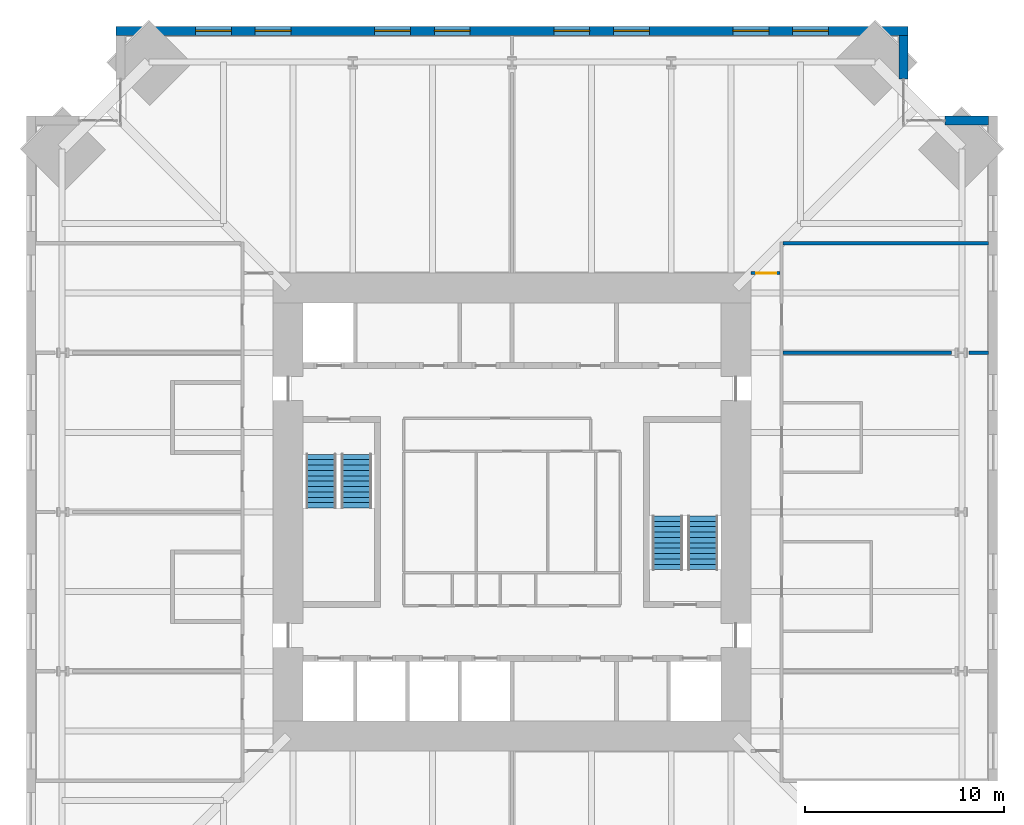
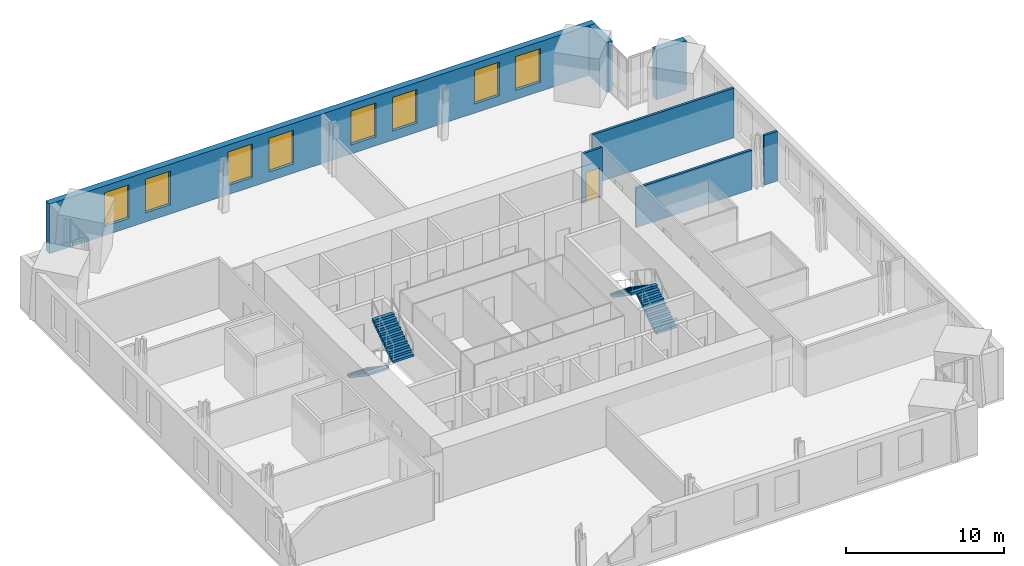
# One storey, part 14 of 15: 8 windows, 7 walls, 4 stair flights, 1 door, 9 openings, 2 elements without a shape of their own.
"""IFC4 building model written with IfcOpenShell, lengths in metres."""

from ifc_helpers import new_model, si_unit, direction, frame, frame_2d, origin, place, context, subcontext, project, spatial, polyline, rectangle, outline, extrude, material, layer, layer_set, type_object, element, fill, aggregate, save


model = new_model("IFC4")

# Units and contexts
model_context = context("Model", 3, precision=1e-05, world=origin(), true_north=direction((0.0, 1.0)))
body_context = subcontext(model_context, "Body", "Model", "MODEL_VIEW")
ifc_project = project(units=[si_unit("LENGTHUNIT", "METRE"), si_unit("AREAUNIT", "SQUARE_METRE"), si_unit("VOLUMEUNIT", "CUBIC_METRE"), si_unit("PLANEANGLEUNIT", "RADIAN"), si_unit("MASSUNIT", "GRAM", prefix="KILO")], contexts=[model_context])

# Site, building, storey
site_placement = place(None, origin())
site = spatial("IfcSite", under=ifc_project, at=site_placement, CompositionType="ELEMENT")
building_placement = place(site_placement, origin())
building = spatial("IfcBuilding", under=site, at=building_placement, Name="Peilmerk Tower", CompositionType="ELEMENT")
storey_placement = place(building_placement, frame((0.0, 0.0, 205.800048828125)))
storey = spatial("IfcBuildingStorey", under=building, at=storey_placement, Name="L44", CompositionType="ELEMENT", Elevation=205.800048828125)

# Wall, openings, windows
ifc_material_1 = material(Name="Precast concrete C45/55, board-marked finish", Category="concrete")
ifc_layer_1 = layer(ifc_material_1, 0.449951171875)
ifc_layer_set_1 = layer_set([ifc_layer_1], Name="Precast concrete C45/55, board-marked finish")
wall_type_1 = type_object("IfcWallType", Name="EW1 450 precast concrete facade wall, board-marked", PredefinedType="SOLIDWALL", material=ifc_layer_set_1)
wall_1_placement = place(storey_placement, frame((19.89990234375, 24.175048828125, 0.0), z_axis=(0.0, 0.0, 1.0), x_axis=(-1.0, 0.0, 0.0)))
wall_1 = element("IfcWall", 1, at=wall_1_placement, inside=storey, type_object=wall_type_1, Name="Facade wall N L44", PredefinedType="SOLIDWALL", context=body_context, shape_type="SweptSolid", body=[
    extrude(rectangle(XDim=39.7998046875, YDim=0.449951171875, at=frame_2d((19.89990234375, 0.0))), origin(), (0.0, 0.0, 1.0), 3.829833984375),
])
opening_1_placement = place(wall_1_placement, frame((4.0, 0.0, 0.699951171875)))
opening_1 = element("IfcOpeningElement", 2, at=opening_1_placement, cuts=wall_1, Name="Opening W1", PredefinedType="OPENING", context=body_context, shape_type="SweptSolid", body=[
    extrude(rectangle(XDim=1.800048828125, YDim=2.60009765625, at=frame_2d((0.89990234375, 1.300048828125))), frame((0.0, 0.23486328125, 0.0), z_axis=(0.0, -1.0, 0.0), x_axis=(1.0, 0.0, 0.0)), (0.0, 0.0, 1.0), 0.469970703125),
])
opening_2_placement = place(wall_1_placement, frame((7.0, 0.0, 0.699951171875)))
opening_2 = element("IfcOpeningElement", 3, at=opening_2_placement, cuts=wall_1, Name="Opening W1", PredefinedType="OPENING", context=body_context, shape_type="SweptSolid", body=[
    extrude(rectangle(XDim=1.800048828125, YDim=2.60009765625, at=frame_2d((0.89990234375, 1.300048828125))), frame((0.0, 0.23486328125, 0.0), z_axis=(0.0, -1.0, 0.0), x_axis=(1.0, 0.0, 0.0)), (0.0, 0.0, 1.0), 0.469970703125),
])
opening_3_placement = place(wall_1_placement, frame((13.0, 0.0, 0.699951171875)))
opening_3 = element("IfcOpeningElement", 4, at=opening_3_placement, cuts=wall_1, Name="Opening W1", PredefinedType="OPENING", context=body_context, shape_type="SweptSolid", body=[
    extrude(rectangle(XDim=1.800048828125, YDim=2.60009765625, at=frame_2d((0.89990234375, 1.300048828125))), frame((0.0, 0.23486328125, 0.0), z_axis=(0.0, -1.0, 0.0), x_axis=(1.0, 0.0, 0.0)), (0.0, 0.0, 1.0), 0.469970703125),
])
opening_4_placement = place(wall_1_placement, frame((16.0, 0.0, 0.699951171875)))
opening_4 = element("IfcOpeningElement", 5, at=opening_4_placement, cuts=wall_1, Name="Opening W1", PredefinedType="OPENING", context=body_context, shape_type="SweptSolid", body=[
    extrude(rectangle(XDim=1.800048828125, YDim=2.60009765625, at=frame_2d((0.89990234375, 1.300048828125))), frame((0.0, 0.23486328125, 0.0), z_axis=(0.0, -1.0, 0.0), x_axis=(1.0, 0.0, 0.0)), (0.0, 0.0, 1.0), 0.469970703125),
])
opening_5_placement = place(wall_1_placement, frame((22.0, 0.0, 0.699951171875)))
opening_5 = element("IfcOpeningElement", 6, at=opening_5_placement, cuts=wall_1, Name="Opening W1", PredefinedType="OPENING", context=body_context, shape_type="SweptSolid", body=[
    extrude(rectangle(XDim=1.800048828125, YDim=2.60009765625, at=frame_2d((0.89990234375, 1.300048828125))), frame((0.0, 0.23486328125, 0.0), z_axis=(0.0, -1.0, 0.0), x_axis=(1.0, 0.0, 0.0)), (0.0, 0.0, 1.0), 0.469970703125),
])
opening_6_placement = place(wall_1_placement, frame((25.0, 0.0, 0.699951171875)))
opening_6 = element("IfcOpeningElement", 7, at=opening_6_placement, cuts=wall_1, Name="Opening W1", PredefinedType="OPENING", context=body_context, shape_type="SweptSolid", body=[
    extrude(rectangle(XDim=1.800048828125, YDim=2.60009765625, at=frame_2d((0.89990234375, 1.300048828125))), frame((0.0, 0.23486328125, 0.0), z_axis=(0.0, -1.0, 0.0), x_axis=(1.0, 0.0, 0.0)), (0.0, 0.0, 1.0), 0.469970703125),
])
opening_7_placement = place(wall_1_placement, frame((31.0, 0.0, 0.699951171875)))
opening_7 = element("IfcOpeningElement", 8, at=opening_7_placement, cuts=wall_1, Name="Opening W1", PredefinedType="OPENING", context=body_context, shape_type="SweptSolid", body=[
    extrude(rectangle(XDim=1.800048828125, YDim=2.60009765625, at=frame_2d((0.89990234375, 1.300048828125))), frame((0.0, 0.23486328125, 0.0), z_axis=(0.0, -1.0, 0.0), x_axis=(1.0, 0.0, 0.0)), (0.0, 0.0, 1.0), 0.469970703125),
])
opening_8_placement = place(wall_1_placement, frame((34.0, 0.0, 0.699951171875)))
opening_8 = element("IfcOpeningElement", 9, at=opening_8_placement, cuts=wall_1, Name="Opening W1", PredefinedType="OPENING", context=body_context, shape_type="SweptSolid", body=[
    extrude(rectangle(XDim=1.800048828125, YDim=2.60009765625, at=frame_2d((0.89990234375, 1.300048828125))), frame((0.0, 0.23486328125, 0.0), z_axis=(0.0, -1.0, 0.0), x_axis=(1.0, 0.0, 0.0)), (0.0, 0.0, 1.0), 0.469970703125),
])
ifc_material_2 = material(Name="Aluminium frame, clear double glazing", Category="aluminium")
window_type = type_object("IfcWindowType", Name="W1 1800x2600 office window", PartitioningType="SINGLE_PANEL", PredefinedType="WINDOW", material=ifc_material_2)
window_1_placement = place(opening_1_placement, origin())
window_1 = element("IfcWindow", 10, at=window_1_placement, inside=storey, type_object=window_type, Name="Window W1 L44", OverallHeight=2.60009765625, OverallWidth=1.800048828125, PartitioningType="SINGLE_PANEL", PredefinedType="WINDOW", context=body_context, shape_type="SweptSolid", body=[
    extrude(rectangle(XDim=1.800048828125, YDim=2.60009765625, at=frame_2d((0.89990234375, 1.300048828125))), frame((0.0, 0.030029296875, 0.0), z_axis=(0.0, -1.0, 0.0), x_axis=(1.0, 0.0, 0.0)), (0.0, 0.0, 1.0), 0.06005859375),
])
fill(opening_1, window_1)
window_2_placement = place(opening_2_placement, origin())
window_2 = element("IfcWindow", 11, at=window_2_placement, inside=storey, type_object=window_type, Name="Window W1 L44", OverallHeight=2.60009765625, OverallWidth=1.800048828125, PartitioningType="SINGLE_PANEL", PredefinedType="WINDOW", context=body_context, shape_type="SweptSolid", body=[
    extrude(rectangle(XDim=1.800048828125, YDim=2.60009765625, at=frame_2d((0.89990234375, 1.300048828125))), frame((0.0, 0.030029296875, 0.0), z_axis=(0.0, -1.0, 0.0), x_axis=(1.0, 0.0, 0.0)), (0.0, 0.0, 1.0), 0.06005859375),
])
fill(opening_2, window_2)
window_3_placement = place(opening_3_placement, origin())
window_3 = element("IfcWindow", 12, at=window_3_placement, inside=storey, type_object=window_type, Name="Window W1 L44", OverallHeight=2.60009765625, OverallWidth=1.800048828125, PartitioningType="SINGLE_PANEL", PredefinedType="WINDOW", context=body_context, shape_type="SweptSolid", body=[
    extrude(rectangle(XDim=1.800048828125, YDim=2.60009765625, at=frame_2d((0.89990234375, 1.300048828125))), frame((0.0, 0.030029296875, 0.0), z_axis=(0.0, -1.0, 0.0), x_axis=(1.0, 0.0, 0.0)), (0.0, 0.0, 1.0), 0.06005859375),
])
fill(opening_3, window_3)
window_4_placement = place(opening_4_placement, origin())
window_4 = element("IfcWindow", 13, at=window_4_placement, inside=storey, type_object=window_type, Name="Window W1 L44", OverallHeight=2.60009765625, OverallWidth=1.800048828125, PartitioningType="SINGLE_PANEL", PredefinedType="WINDOW", context=body_context, shape_type="SweptSolid", body=[
    extrude(rectangle(XDim=1.800048828125, YDim=2.60009765625, at=frame_2d((0.89990234375, 1.300048828125))), frame((0.0, 0.030029296875, 0.0), z_axis=(0.0, -1.0, 0.0), x_axis=(1.0, 0.0, 0.0)), (0.0, 0.0, 1.0), 0.06005859375),
])
fill(opening_4, window_4)
window_5_placement = place(opening_5_placement, origin())
window_5 = element("IfcWindow", 14, at=window_5_placement, inside=storey, type_object=window_type, Name="Window W1 L44", OverallHeight=2.60009765625, OverallWidth=1.800048828125, PartitioningType="SINGLE_PANEL", PredefinedType="WINDOW", context=body_context, shape_type="SweptSolid", body=[
    extrude(rectangle(XDim=1.800048828125, YDim=2.60009765625, at=frame_2d((0.89990234375, 1.300048828125))), frame((0.0, 0.030029296875, 0.0), z_axis=(0.0, -1.0, 0.0), x_axis=(1.0, 0.0, 0.0)), (0.0, 0.0, 1.0), 0.06005859375),
])
fill(opening_5, window_5)
window_6_placement = place(opening_6_placement, origin())
window_6 = element("IfcWindow", 15, at=window_6_placement, inside=storey, type_object=window_type, Name="Window W1 L44", OverallHeight=2.60009765625, OverallWidth=1.800048828125, PartitioningType="SINGLE_PANEL", PredefinedType="WINDOW", context=body_context, shape_type="SweptSolid", body=[
    extrude(rectangle(XDim=1.800048828125, YDim=2.60009765625, at=frame_2d((0.89990234375, 1.300048828125))), frame((0.0, 0.030029296875, 0.0), z_axis=(0.0, -1.0, 0.0), x_axis=(1.0, 0.0, 0.0)), (0.0, 0.0, 1.0), 0.06005859375),
])
fill(opening_6, window_6)
window_7_placement = place(opening_7_placement, origin())
window_7 = element("IfcWindow", 16, at=window_7_placement, inside=storey, type_object=window_type, Name="Window W1 L44", OverallHeight=2.60009765625, OverallWidth=1.800048828125, PartitioningType="SINGLE_PANEL", PredefinedType="WINDOW", context=body_context, shape_type="SweptSolid", body=[
    extrude(rectangle(XDim=1.800048828125, YDim=2.60009765625, at=frame_2d((0.89990234375, 1.300048828125))), frame((0.0, 0.030029296875, 0.0), z_axis=(0.0, -1.0, 0.0), x_axis=(1.0, 0.0, 0.0)), (0.0, 0.0, 1.0), 0.06005859375),
])
fill(opening_7, window_7)
window_8_placement = place(opening_8_placement, origin())
window_8 = element("IfcWindow", 17, at=window_8_placement, inside=storey, type_object=window_type, Name="Window W1 L44", OverallHeight=2.60009765625, OverallWidth=1.800048828125, PartitioningType="SINGLE_PANEL", PredefinedType="WINDOW", context=body_context, shape_type="SweptSolid", body=[
    extrude(rectangle(XDim=1.800048828125, YDim=2.60009765625, at=frame_2d((0.89990234375, 1.300048828125))), frame((0.0, 0.030029296875, 0.0), z_axis=(0.0, -1.0, 0.0), x_axis=(1.0, 0.0, 0.0)), (0.0, 0.0, 1.0), 0.06005859375),
])
fill(opening_8, window_8)

# Walls
for number, where, z_axis, x_axis, name in (
    (18, (19.675048828125, 21.753662109375, 0.0), (0.0, 0.0, 1.0), (0.0, 1.0, 0.0), "Facade wall NEA L44"),
    (19, (21.753662109375, 19.675048828125, 0.0), (0.0, 0.0, 1.0), (1.0, 0.0, 0.0), "Facade wall NEB L44"),
):
    element("IfcWall", number, at=place(storey_placement, frame(where, z_axis=z_axis, x_axis=x_axis)), inside=storey, type_object=wall_type_1, Name=name, PredefinedType="SOLIDWALL", context=body_context, shape_type="SweptSolid", body=[
        extrude(rectangle(XDim=2.1962890625, YDim=0.449951171875, at=frame_2d((1.09814453125, 0.0))), origin(), (0.0, 0.0, 1.0), 3.829833984375),
    ])

# Wall, opening, door
ifc_material_3 = material(Name="Calcium silicate block", Category="masonry")
ifc_layer_2 = layer(ifc_material_3, 0.14990234375)
ifc_layer_set_2 = layer_set([ifc_layer_2], Name="Calcium silicate block")
wall_type_2 = type_object("IfcWallType", Name="IW1 150 corridor partition, EI 60", PredefinedType="PARTITIONING", material=ifc_layer_set_2)
wall_2_placement = place(storey_placement, frame((12.0, 12.0, 0.0), z_axis=(0.0, 0.0, 1.0), x_axis=(1.0, 0.0, 0.0)))
wall_2 = element("IfcWall", 20, at=wall_2_placement, inside=storey, type_object=wall_type_2, Name="Corridor wall NE L44", PredefinedType="PARTITIONING", context=body_context, shape_type="SweptSolid", body=[
    extrude(rectangle(XDim=1.47509765625, YDim=0.14990234375, at=frame_2d((0.737548828125, 0.0))), origin(), (0.0, 0.0, 1.0), 3.829833984375),
])
opening_9_placement = place(wall_2_placement, frame((0.27490234375, 0.0, 0.0)))
opening_9 = element("IfcOpeningElement", 21, at=opening_9_placement, cuts=wall_2, Name="Opening D1", PredefinedType="OPENING", context=body_context, shape_type="SweptSolid", body=[
    extrude(rectangle(XDim=1.0, YDim=2.300048828125, at=frame_2d((0.5, 1.14990234375))), frame((0.0, 0.0849609375, 0.0), z_axis=(0.0, -1.0, 0.0), x_axis=(1.0, 0.0, 0.0)), (0.0, 0.0, 1.0), 0.169921875),
])
ifc_material_4 = material(Name="Timber door in steel frame", Category="steel")
door_type = type_object("IfcDoorType", Name="D1 1000x2300 room door, EI2 30", OperationType="SINGLE_SWING_LEFT", PredefinedType="DOOR", material=ifc_material_4)
door_placement = place(opening_9_placement, origin())
door = element("IfcDoor", 22, at=door_placement, inside=storey, type_object=door_type, Name="Door Hardware lab L44", OperationType="SINGLE_SWING_LEFT", OverallHeight=2.300048828125, OverallWidth=1.0, PredefinedType="DOOR", context=body_context, shape_type="SweptSolid", body=[
    extrude(rectangle(XDim=1.0, YDim=2.300048828125, at=frame_2d((0.5, 1.14990234375))), frame((0.0, 0.02490234375, 0.0), z_axis=(0.0, -1.0, 0.0), x_axis=(1.0, 0.0, 0.0)), (0.0, 0.0, 1.0), 0.050048828125),
])
fill(opening_9, door)

# Walls
ifc_layer_3 = layer(ifc_material_3, 0.175048828125)
ifc_layer_set_3 = layer_set([ifc_layer_3], Name="Calcium silicate block")
wall_type_3 = type_object("IfcWallType", Name="IW8 175 tenant separating wall, EI 60", PredefinedType="PARTITIONING", material=ifc_layer_set_3)
wall_3_placement = place(storey_placement, frame((13.625, 13.5, 0.0), z_axis=(0.0, 0.0, 1.0), x_axis=(1.0, 0.0, 0.0)))
element("IfcWall", 23, at=wall_3_placement, inside=storey, type_object=wall_type_3, Name="Tenant separating wall NE L44", PredefinedType="PARTITIONING", context=body_context, shape_type="SweptSolid", body=[
    extrude(rectangle(XDim=10.324951171875, YDim=0.175048828125, at=frame_2d((5.16259765625, 0.0))), origin(), (0.0, 0.0, 1.0), 3.829833984375),
])
wall_4_placement = place(storey_placement, frame((13.625, 8.0, 0.0), z_axis=(0.0, 0.0, 1.0), x_axis=(1.0, 0.0, 0.0)))
element("IfcWall", 24, at=wall_4_placement, inside=storey, type_object=wall_type_3, Name="Tenant separating wall E2 L44", PredefinedType="PARTITIONING", context=body_context, shape_type="SweptSolid", body=[
    extrude(rectangle(XDim=8.4482421875, YDim=0.175048828125, at=frame_2d((4.22412109375, 0.0))), origin(), (0.0, 0.0, 1.0), 3.0400390625),
])
wall_5_placement = place(storey_placement, frame((22.96240234375, 8.0, 0.0), z_axis=(0.0, 0.0, 1.0), x_axis=(1.0, 0.0, 0.0)))
element("IfcWall", 25, at=wall_5_placement, inside=storey, type_object=wall_type_3, Name="Tenant separating wall E2b L44", PredefinedType="PARTITIONING", context=body_context, shape_type="SweptSolid", body=[
    extrude(rectangle(XDim=0.987548828125, YDim=0.175048828125, at=frame_2d((0.49365234375, 0.0))), origin(), (0.0, 0.0, 1.0), 3.829833984375),
])

# Stair, stair flights
ifc_material_5 = material(Name="Precast concrete C45/55", Category="concrete")
stair_type_1 = type_object("IfcStairType", Name="ST1 22 risers of 181.8", PredefinedType="HALF_TURN_STAIR", material=ifc_material_5)
stair_1_placement = place(storey_placement, origin())
stair_1 = element("IfcStair", 26, at=stair_1_placement, inside=storey, type_object=stair_type_1, Name="Stair 1 L44 to L45", PredefinedType="HALF_TURN_STAIR")
stair_flight_type = type_object("IfcStairFlightType", Name="SF11 flight, 11 risers of 181.8", PredefinedType="STRAIGHT", material=ifc_material_5)
stair_flight_1_placement = place(storey_placement, frame((-9.60009765625, 2.89990234375, 0.0), z_axis=(0.0, 0.0, 1.0), x_axis=(0.0, -1.0, 0.0)))
stair_flight_1 = element("IfcStairFlight", 27, at=stair_flight_1_placement, type_object=stair_flight_type, Name="ST1 flight 1", NumberOfRisers=11, NumberOfTreads=10, PredefinedType="STRAIGHT", RiserHeight=0.181818182, TreadLength=0.27, context=body_context, shape_type="SweptSolid", body=[
    extrude(outline(polyline([(0.0, 0.0), (0.0, 0.181884765625), (0.27001953125, 0.181884765625), (0.27001953125, 0.363525390625), (0.5400390625, 0.363525390625), (0.5400390625, 0.54541015625), (0.81005859375, 0.54541015625), (0.81005859375, 0.727294921875), (1.080078125, 0.727294921875), (1.080078125, 0.9091796875), (1.35009765625, 0.9091796875), (1.35009765625, 1.0908203125), (1.6201171875, 1.0908203125), (1.6201171875, 1.272705078125), (1.889892578125, 1.272705078125), (1.889892578125, 1.45458984375), (2.159912109375, 1.45458984375), (2.159912109375, 1.636474609375), (2.429931640625, 1.636474609375), (2.429931640625, 1.818115234375), (2.699951171875, 1.818115234375), (2.699951171875, 2.0), (2.699951171875, 1.637451171875), (0.268310546875, 0.0), (0.0, 0.0)])), frame((0.0, 0.75, 0.0), z_axis=(0.0, -1.0, 0.0), x_axis=(1.0, 0.0, 0.0)), (0.0, 0.0, 1.0), 1.5),
])
stair_flight_2_placement = place(storey_placement, frame((-7.800048828125, 0.199951171875, 2.0), z_axis=(0.0, 0.0, 1.0), x_axis=(0.0, 1.0, 0.0)))
stair_flight_2 = element("IfcStairFlight", 28, at=stair_flight_2_placement, type_object=stair_flight_type, Name="ST1 flight 2", NumberOfRisers=11, NumberOfTreads=10, PredefinedType="STRAIGHT", RiserHeight=0.181818182, TreadLength=0.27, context=body_context, shape_type="SweptSolid", body=[
    extrude(outline(polyline([(0.0, 0.0), (0.0, 0.181884765625), (0.27001953125, 0.181884765625), (0.27001953125, 0.363525390625), (0.5400390625, 0.363525390625), (0.5400390625, 0.54541015625), (0.81005859375, 0.54541015625), (0.81005859375, 0.727294921875), (1.080078125, 0.727294921875), (1.080078125, 0.9091796875), (1.35009765625, 0.9091796875), (1.35009765625, 1.0908203125), (1.6201171875, 1.0908203125), (1.6201171875, 1.272705078125), (1.889892578125, 1.272705078125), (1.889892578125, 1.45458984375), (2.159912109375, 1.45458984375), (2.159912109375, 1.636474609375), (2.429931640625, 1.636474609375), (2.429931640625, 1.818115234375), (2.699951171875, 1.818115234375), (2.699951171875, 2.0), (2.699951171875, 1.637451171875), (0.268310546875, 0.0), (0.0, 0.0)])), frame((0.0, 0.75, 0.0), z_axis=(0.0, -1.0, 0.0), x_axis=(1.0, 0.0, 0.0)), (0.0, 0.0, 1.0), 1.5),
])
aggregate(stair_1, [stair_flight_1, stair_flight_2])

stair_type_2 = type_object("IfcStairType", Name="ST2 22 risers of 181.8", PredefinedType="HALF_TURN_STAIR", material=ifc_material_5)
stair_2_placement = place(storey_placement, origin())
stair_2 = element("IfcStair", 29, at=stair_2_placement, inside=storey, type_object=stair_type_2, Name="Stair 2 L44 to L45", PredefinedType="HALF_TURN_STAIR")
stair_flight_3_placement = place(storey_placement, frame((9.60009765625, -2.89990234375, 0.0), z_axis=(0.0, 0.0, 1.0), x_axis=(0.0, 1.0, 0.0)))
stair_flight_3 = element("IfcStairFlight", 30, at=stair_flight_3_placement, type_object=stair_flight_type, Name="ST2 flight 1", NumberOfRisers=11, NumberOfTreads=10, PredefinedType="STRAIGHT", RiserHeight=0.181818182, TreadLength=0.27, context=body_context, shape_type="SweptSolid", body=[
    extrude(outline(polyline([(0.0, 0.0), (0.0, 0.181884765625), (0.27001953125, 0.181884765625), (0.27001953125, 0.363525390625), (0.5400390625, 0.363525390625), (0.5400390625, 0.54541015625), (0.81005859375, 0.54541015625), (0.81005859375, 0.727294921875), (1.080078125, 0.727294921875), (1.080078125, 0.9091796875), (1.35009765625, 0.9091796875), (1.35009765625, 1.0908203125), (1.6201171875, 1.0908203125), (1.6201171875, 1.272705078125), (1.889892578125, 1.272705078125), (1.889892578125, 1.45458984375), (2.159912109375, 1.45458984375), (2.159912109375, 1.636474609375), (2.429931640625, 1.636474609375), (2.429931640625, 1.818115234375), (2.699951171875, 1.818115234375), (2.699951171875, 2.0), (2.699951171875, 1.637451171875), (0.268310546875, 0.0), (0.0, 0.0)])), frame((0.0, 0.75, 0.0), z_axis=(0.0, -1.0, 0.0), x_axis=(1.0, 0.0, 0.0)), (0.0, 0.0, 1.0), 1.5),
])
stair_flight_4_placement = place(storey_placement, frame((7.800048828125, -0.199951171875, 2.0), z_axis=(0.0, 0.0, 1.0), x_axis=(0.0, -1.0, 0.0)))
stair_flight_4 = element("IfcStairFlight", 31, at=stair_flight_4_placement, type_object=stair_flight_type, Name="ST2 flight 2", NumberOfRisers=11, NumberOfTreads=10, PredefinedType="STRAIGHT", RiserHeight=0.181818182, TreadLength=0.27, context=body_context, shape_type="SweptSolid", body=[
    extrude(outline(polyline([(0.0, 0.0), (0.0, 0.181884765625), (0.27001953125, 0.181884765625), (0.27001953125, 0.363525390625), (0.5400390625, 0.363525390625), (0.5400390625, 0.54541015625), (0.81005859375, 0.54541015625), (0.81005859375, 0.727294921875), (1.080078125, 0.727294921875), (1.080078125, 0.9091796875), (1.35009765625, 0.9091796875), (1.35009765625, 1.0908203125), (1.6201171875, 1.0908203125), (1.6201171875, 1.272705078125), (1.889892578125, 1.272705078125), (1.889892578125, 1.45458984375), (2.159912109375, 1.45458984375), (2.159912109375, 1.636474609375), (2.429931640625, 1.636474609375), (2.429931640625, 1.818115234375), (2.699951171875, 1.818115234375), (2.699951171875, 2.0), (2.699951171875, 1.637451171875), (0.268310546875, 0.0), (0.0, 0.0)])), frame((0.0, 0.75, 0.0), z_axis=(0.0, -1.0, 0.0), x_axis=(1.0, 0.0, 0.0)), (0.0, 0.0, 1.0), 1.5),
])
aggregate(stair_2, [stair_flight_3, stair_flight_4])

save(model, "model.ifc")
